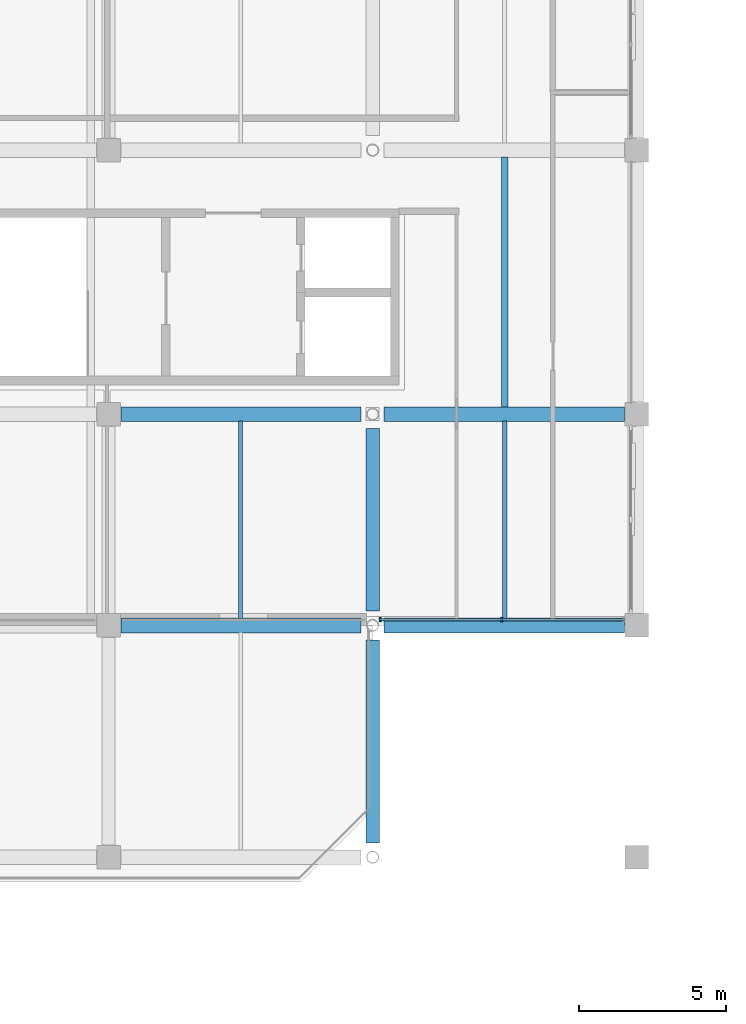
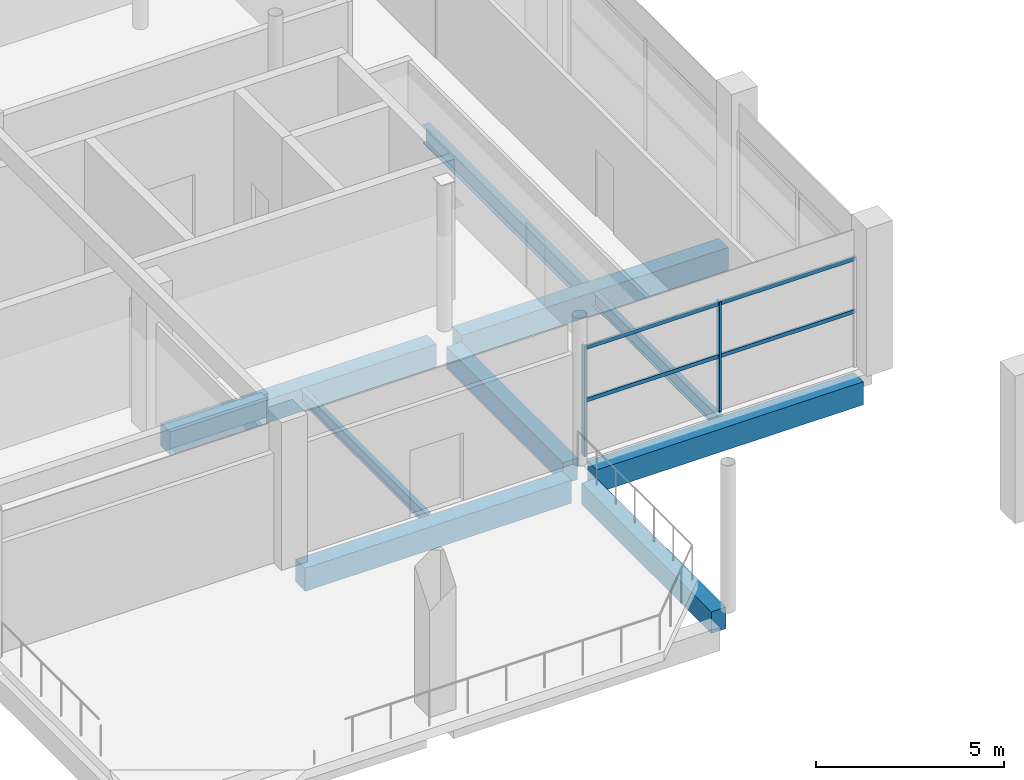
# One storey, part 8 of 114: 9 beams, 4 members, 1 element without a shape of its own.
"""IFC4 building model written with IfcOpenShell, lengths in metres."""

from ifc_helpers import new_model, si_unit, direction, frame, origin, origin_2d, place, context, subcontext, project, spatial, rectangle, i_section, extrude, material, material_profile, profile_set, type_object, element, aggregate, save


model = new_model("IFC4")

# Units and contexts
model_context = context("Model", 3, precision=1e-05, world=origin(), true_north=direction((0.0, 1.0)))
body_context = subcontext(model_context, "Body", "Model", "MODEL_VIEW")
ifc_project = project(units=[si_unit("LENGTHUNIT", "METRE"), si_unit("AREAUNIT", "SQUARE_METRE"), si_unit("VOLUMEUNIT", "CUBIC_METRE"), si_unit("PLANEANGLEUNIT", "RADIAN"), si_unit("MASSUNIT", "GRAM", prefix="KILO"), si_unit("THERMODYNAMICTEMPERATUREUNIT", "KELVIN"), si_unit("POWERUNIT", "WATT")], contexts=[model_context])

# Site, building, storey
site_placement = place(None, origin())
site = spatial("IfcSite", under=ifc_project, at=site_placement, CompositionType="ELEMENT")
building_placement = place(site_placement, origin())
building = spatial("IfcBuilding", under=site, at=building_placement, Name="Sindhuravela Promenade Stadium", CompositionType="ELEMENT")
storey_placement = place(building_placement, frame((0.0, 0.0, 24.0)))
storey = spatial("IfcBuildingStorey", under=building, at=storey_placement, Name="L05", CompositionType="ELEMENT", Elevation=24.0)

# Curtain wall, members
ifc_material_1 = material(Name="Anodised architectural aluminium 6063-T6", Category="aluminium")
curtain_wall_type = type_object("IfcCurtainWallType", Name="CW-MOD-6", PredefinedType="NOTDEFINED", material=ifc_material_1)
curtain_wall_placement = place(storey_placement, origin())
curtain_wall = element("IfcCurtainWall", 1, at=curtain_wall_placement, inside=storey, type_object=curtain_wall_type, Name="Bronze curtain wall CW-WEST-L05-085", PredefinedType="NOTDEFINED")
ifc_material_profile_1 = material_profile(ifc_material_1, rectangle(XDim=0.06494140625, YDim=0.14990234375, at=origin_2d()), Name="ALU MULL 65x150")
ifc_profile_set_1 = profile_set([ifc_material_profile_1], Name="Anodised architectural aluminium 6063-T6")
member_type_1 = type_object("IfcMemberType", Name="CW-MUL-2", PredefinedType="MULLION", material=ifc_profile_set_1)
member_1_placement = place(storey_placement, frame((31.401611328125, 45.199951171875, 0.0), z_axis=(0.0, 0.0, 1.0), x_axis=(1.0, 0.0, 0.0)))
member_1 = element("IfcMember", 2, at=member_1_placement, type_object=member_type_1, Name="Curtain wall mullion CW-WEST-L05-085-M2", PredefinedType="MULLION", context=body_context, shape_type="SweptSolid", body=[
    extrude(rectangle(XDim=0.06494140625, YDim=0.14990234375, at=origin_2d()), origin(), (0.0, 0.0, 1.0), 3.580078125),
])
member_2_placement = place(storey_placement, frame((27.253173828125, 45.199951171875, 0.0), z_axis=(0.0, 0.0, 1.0), x_axis=(1.0, 0.0, 0.0)))
member_2 = element("IfcMember", 3, at=member_2_placement, type_object=member_type_1, Name="Curtain wall mullion CW-WEST-L05-085-M3", PredefinedType="MULLION", context=body_context, shape_type="SweptSolid", body=[
    extrude(rectangle(XDim=0.06494140625, YDim=0.14990234375, at=origin_2d()), origin(), (0.0, 0.0, 1.0), 3.580078125),
])
ifc_material_profile_2 = material_profile(ifc_material_1, rectangle(XDim=0.06494140625, YDim=0.125, at=origin_2d()), Name="ALU TRAN 65x125")
ifc_profile_set_2 = profile_set([ifc_material_profile_2], Name="Anodised architectural aluminium 6063-T6")
member_type_2 = type_object("IfcMemberType", Name="CW-TRN-2", PredefinedType="USERDEFINED", material=ifc_profile_set_2)
member_3_placement = place(storey_placement, frame((35.574951171875, 45.199951171875, 1.7900390625), z_axis=(-1.0, 0.0, 0.0), x_axis=(0.0, -1.0, 0.0)))
member_3 = element("IfcMember", 4, at=member_3_placement, type_object=member_type_2, Name="Curtain wall transom CW-WEST-L05-085-T1", ObjectType="TRANSOM", PredefinedType="USERDEFINED", context=body_context, shape_type="SweptSolid", body=[
    extrude(rectangle(XDim=0.06494140625, YDim=0.125, at=origin_2d()), origin(), (0.0, 0.0, 1.0), 8.3466796875),
])
member_4_placement = place(storey_placement, frame((35.574951171875, 45.199951171875, 3.5), z_axis=(-1.0, 0.0, 0.0), x_axis=(0.0, -1.0, 0.0)))
member_4 = element("IfcMember", 5, at=member_4_placement, type_object=member_type_2, Name="Curtain wall transom CW-WEST-L05-085-T2", ObjectType="TRANSOM", PredefinedType="USERDEFINED", context=body_context, shape_type="SweptSolid", body=[
    extrude(rectangle(XDim=0.06494140625, YDim=0.125, at=origin_2d()), origin(), (0.0, 0.0, 1.0), 8.3466796875),
])
aggregate(curtain_wall, [member_1, member_2, member_3, member_4])

# Beams
ifc_material_2 = material(Name="Concrete M40", Category="concrete")
ifc_material_profile_3 = material_profile(ifc_material_2, rectangle(XDim=0.449951171875, YDim=0.699951171875, at=origin_2d()), Name="RC 450x700")
ifc_profile_set_3 = profile_set([ifc_material_profile_3], Name="Concrete M40")
beam_type_1 = type_object("IfcBeamType", Name="RC-BM-450x700", PredefinedType="BEAM", material=ifc_profile_set_3)
beam_1_placement = place(storey_placement, frame((27.0, 37.590087890625, -0.659912109375), z_axis=(0.0, 1.0, 0.0), x_axis=(-1.0, 0.0, 0.0)))
element("IfcBeam", 6, at=beam_1_placement, inside=storey, type_object=beam_type_1, Name="Primary beam GB07 WEST L05", PredefinedType="BEAM", context=body_context, shape_type="SweptSolid", body=[
    extrude(rectangle(XDim=0.449951171875, YDim=0.699951171875, at=origin_2d()), origin(), (0.0, 0.0, 1.0), 6.919921875),
])
beam_2_placement = place(storey_placement, frame((27.0, 45.489990234375, -0.60009765625), z_axis=(0.0, 1.0, 0.0), x_axis=(-1.0, 0.0, 0.0)))
element("IfcBeam", 7, at=beam_2_placement, inside=storey, type_object=beam_type_1, Name="Primary beam GB07 WEST L05", PredefinedType="BEAM", context=body_context, shape_type="SweptSolid", body=[
    extrude(rectangle(XDim=0.449951171875, YDim=0.699951171875, at=origin_2d()), origin(), (0.0, 0.0, 1.0), 6.219970703125),
])
ifc_material_profile_4 = material_profile(ifc_material_2, rectangle(XDim=0.5, YDim=0.75, at=origin_2d()), Name="RC 500x750")
ifc_profile_set_4 = profile_set([ifc_material_profile_4], Name="Concrete M40")
beam_type_2 = type_object("IfcBeamType", Name="RC-BM-500x750", PredefinedType="BEAM", material=ifc_profile_set_4)
for number, where, z_axis, x_axis, name in (
    (8, (18.4150390625, 45.0, -0.68505859375), (1.0, 0.0, 0.0), (0.0, 1.0, 0.0), "Primary girder GB06 WEST L05"),
    (9, (27.389892578125, 45.0, -0.625), (1.0, 0.0, 0.0), (0.0, 1.0, 0.0), "Primary girder GB06 WEST L05"),
    (10, (18.4150390625, 52.199951171875, -0.625), (1.0, 0.0, 0.0), (0.0, 1.0, 0.0), "Primary girder GB06 WEST L05"),
    (11, (27.389892578125, 52.199951171875, -0.625), (1.0, 0.0, 0.0), (0.0, 1.0, 0.0), "Primary girder GB06 WEST L05"),
):
    element("IfcBeam", number, at=place(storey_placement, frame(where, z_axis=z_axis, x_axis=x_axis)), inside=storey, type_object=beam_type_2, Name=name, PredefinedType="BEAM", context=body_context, shape_type="SweptSolid", body=[
        extrude(rectangle(XDim=0.5, YDim=0.75, at=origin_2d()), origin(), (0.0, 0.0, 1.0), 8.195068359375),
    ])
ifc_material_3 = material(Name="Steel E350 (IS 2062 E350BR)", Category="steel")
ifc_material_profile_5 = material_profile(ifc_material_3, i_section(OverallWidth=0.139892578125, OverallDepth=0.39990234375, WebThickness=0.0087890625, FlangeThickness=0.01611328125, FilletRadius=0.013916015625, at=origin_2d()), Name="ISMB 400")
ifc_profile_set_5 = profile_set([ifc_material_profile_5], Name="Steel E350 (IS 2062 E350BR)")
beam_type_3 = type_object("IfcBeamType", Name="ST-BM-MB400", PredefinedType="BEAM", material=ifc_profile_set_5)
beam_3_placement = place(storey_placement, frame((22.5, 45.239990234375, -0.449951171875), z_axis=(0.0, 1.0, 0.0), x_axis=(-1.0, 0.0, 0.0)))
element("IfcBeam", 12, at=beam_3_placement, inside=storey, type_object=beam_type_3, Name="Secondary floor joist SB05 WEST L05", PredefinedType="BEAM", context=body_context, shape_type="SweptSolid", body=[
    extrude(i_section(OverallWidth=0.139892578125, OverallDepth=0.39990234375, WebThickness=0.0087890625, FlangeThickness=0.01611328125, FilletRadius=0.013916015625, at=origin_2d()), origin(), (0.0, 0.0, 1.0), 6.719970703125),
])
ifc_material_profile_6 = material_profile(ifc_material_3, i_section(OverallWidth=0.14990234375, OverallDepth=0.449951171875, WebThickness=0.009521484375, FlangeThickness=0.017333984375, FilletRadius=0.014892578125, at=origin_2d()), Name="ISMB 450")
ifc_profile_set_6 = profile_set([ifc_material_profile_6], Name="Steel E350 (IS 2062 E350BR)")
beam_type_4 = type_object("IfcBeamType", Name="ST-BM-MB450", PredefinedType="BEAM", material=ifc_profile_set_6)
beam_4_placement = place(storey_placement, frame((31.5, 45.239990234375, -0.47509765625), z_axis=(0.0, 1.0, 0.0), x_axis=(-1.0, 0.0, 0.0)))
element("IfcBeam", 13, at=beam_4_placement, inside=storey, type_object=beam_type_4, Name="Secondary floor joist SB06 WEST L05", PredefinedType="BEAM", context=body_context, shape_type="SweptSolid", body=[
    extrude(i_section(OverallWidth=0.14990234375, OverallDepth=0.449951171875, WebThickness=0.009521484375, FlangeThickness=0.017333984375, FilletRadius=0.014892578125, at=origin_2d()), origin(), (0.0, 0.0, 1.0), 6.719970703125),
])
ifc_material_profile_7 = material_profile(ifc_material_3, i_section(OverallWidth=0.2099609375, OverallDepth=0.60009765625, WebThickness=0.011962890625, FlangeThickness=0.020751953125, FilletRadius=0.02001953125, at=origin_2d()), Name="ISMB 600")
ifc_profile_set_7 = profile_set([ifc_material_profile_7], Name="Steel E350 (IS 2062 E350BR)")
beam_type_5 = type_object("IfcBeamType", Name="ST-BM-MB600", PredefinedType="BEAM", material=ifc_profile_set_7)
beam_5_placement = place(storey_placement, frame((31.5, 52.43994140625, -0.550048828125), z_axis=(0.0, 1.0, 0.0), x_axis=(-1.0, 0.0, 0.0)))
element("IfcBeam", 14, at=beam_5_placement, inside=storey, type_object=beam_type_5, Name="Secondary floor joist SB09 WEST L05", PredefinedType="BEAM", context=body_context, shape_type="SweptSolid", body=[
    extrude(i_section(OverallWidth=0.2099609375, OverallDepth=0.60009765625, WebThickness=0.011962890625, FlangeThickness=0.020751953125, FilletRadius=0.02001953125, at=origin_2d()), origin(), (0.0, 0.0, 1.0), 8.52001953125),
])

save(model, "model.ifc")
